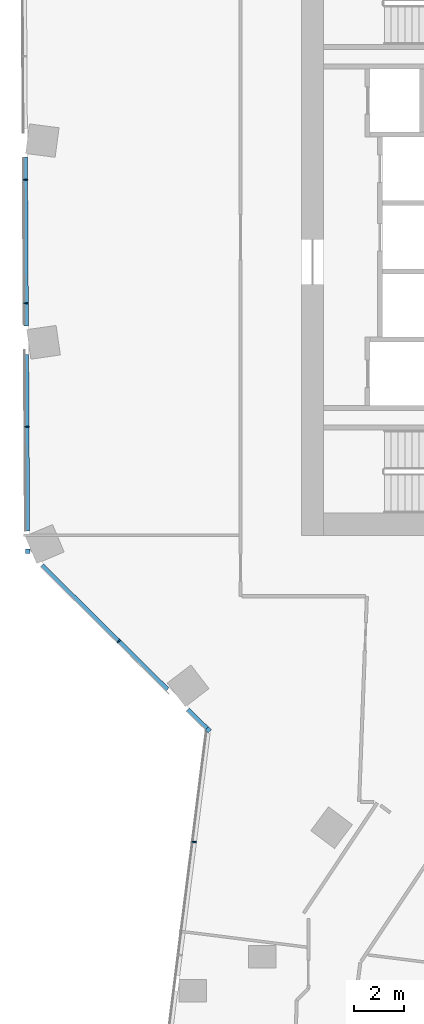
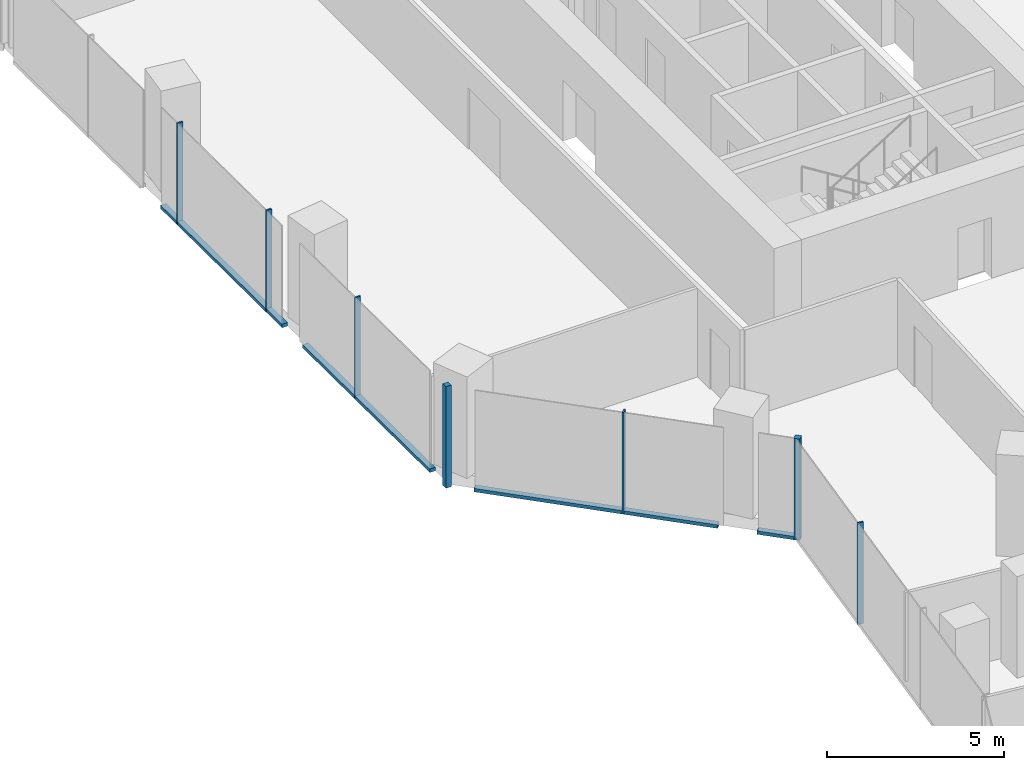
# One storey, part 6 of 27: 11 members, 3 elements without a shape of their own.
"""IFC4 building model written with IfcOpenShell, lengths in metres."""

import ifcopenshell
import ifcopenshell.guid

model = None  # the IFC model being written
_history = None  # IfcOwnerHistory: only IFC2X3 demands one
_inside = {}  # id of a spatial element -> (the spatial element, [elements in it])
_under = {}  # id of a project, library or spatial element -> (it, [spatial elements below it])
_declared = {}  # id of a project -> (the project, [libraries it declares])
_typed = {}  # id of a type object -> (the type object, [elements of that type])
_made_of = {}  # id of a material, layer set ... -> (it, [elements and type objects made of it])


def new_model(schema):
    """Start an empty IFC model of exactly this schema.

    Asked for "IFC4X3", IfcOpenShell would pick the latest addendum, in which some entities
    have other attributes; the version numbers below select the first issue.
    IFC2X3 requires an IfcOwnerHistory on every rooted entity: one is made here for all.
    """
    global model, _history
    if schema == "IFC4X3":
        model = ifcopenshell.file(schema_version=(4, 3, 0, 0))
    else:
        model = ifcopenshell.file(schema=schema)
    _inside.clear()
    _under.clear()
    _declared.clear()
    _typed.clear()
    _made_of.clear()
    _history = None
    if model.schema == "IFC2X3":
        org = make("IfcOrganization", Name="unknown")
        user = make(
            "IfcPersonAndOrganization",
            ThePerson=make("IfcPerson", FamilyName="unknown"),
            TheOrganization=org,
        )
        app = make(
            "IfcApplication",
            ApplicationDeveloper=org,
            Version="unknown",
            ApplicationFullName="unknown",
            ApplicationIdentifier="unknown",
        )
        _history = make(
            "IfcOwnerHistory",
            OwningUser=user,
            OwningApplication=app,
            ChangeAction="ADDED",
            CreationDate=0,
        )
    return model


def make(cls, **values):
    """One entity of the class cls with the attributes given. An attribute that is None is left unset."""
    return model.create_entity(
        cls, **{name: value for name, value in values.items() if value is not None}
    )


def rooted(cls, **values):
    """An entity with a GlobalId (a new one), such as an element, a storey or a relation."""
    return make(cls, GlobalId=ifcopenshell.guid.new(), OwnerHistory=_history, **values)


def si_unit(unit_type, name, prefix=None):
    """IfcSIUnit, for example si_unit("LENGTHUNIT", "METRE", prefix="MILLI")."""
    return make("IfcSIUnit", UnitType=unit_type, Prefix=prefix, Name=name)


def assignment(units):
    """IfcUnitAssignment: the units of a project."""
    return None if units is None else make("IfcUnitAssignment", Units=units)


def point(xyz):
    """IfcCartesianPoint."""
    return None if xyz is None else make("IfcCartesianPoint", Coordinates=xyz)


def direction(xyz):
    """IfcDirection."""
    return None if xyz is None else make("IfcDirection", DirectionRatios=xyz)


def frame(location, z_axis=None, x_axis=None):
    """IfcAxis2Placement3D, a coordinate frame: its origin and axes. An axis left out is left unset."""
    return make(
        "IfcAxis2Placement3D",
        Location=point(location),
        Axis=direction(z_axis),
        RefDirection=direction(x_axis),
    )


def frame_2d(location, x_axis=None):
    """IfcAxis2Placement2D, a coordinate frame in the plane: its origin and x axis."""
    return make(
        "IfcAxis2Placement2D", Location=point(location), RefDirection=direction(x_axis)
    )


def origin():
    """The frame at (0, 0, 0) with its axes left unset."""
    return frame((0.0, 0.0, 0.0))


def origin_2d():
    """The frame at (0, 0) in the plane with its x axis left unset."""
    return frame_2d((0.0, 0.0))


def place(relative_to, where):
    """IfcLocalPlacement: puts the frame where relative to a parent placement (None: the world)."""
    return make(
        "IfcLocalPlacement", PlacementRelTo=relative_to, RelativePlacement=where
    )


def context(
    kind, dimensions, precision=None, world=None, true_north=None, identifier=None
):
    """IfcGeometricRepresentationContext, for example the 3D "Model" context."""
    return make(
        "IfcGeometricRepresentationContext",
        ContextIdentifier=identifier,
        ContextType=kind,
        CoordinateSpaceDimension=dimensions,
        Precision=precision,
        WorldCoordinateSystem=world,
        TrueNorth=true_north,
    )


def subcontext(parent, identifier, kind, view, scale=None):
    """IfcGeometricRepresentationSubContext, for example "Body" below "Model"."""
    return make(
        "IfcGeometricRepresentationSubContext",
        ContextIdentifier=identifier,
        ContextType=kind,
        ParentContext=parent,
        TargetScale=scale,
        TargetView=view,
    )


def project(units=None, contexts=None):
    """IfcProject with its units and contexts."""
    return rooted(
        "IfcProject",
        Name="project",
        RepresentationContexts=contexts,
        UnitsInContext=assignment(units),
    )


def spatial(cls, under=None, at=None, **own):
    """A site, building, storey or space (cls), placed at a placement, below another one or the project."""
    s = rooted(cls, ObjectPlacement=at, **own)
    if under is not None:
        _under.setdefault(under.id(), (under, []))[1].append(s)
    return s


def profile(cls, at=None, kind="AREA", **sizes):
    """A parametric profile (cls). Its sizes go by their IFC names, for example OverallWidth=200.0."""
    return make(cls, ProfileType=kind, Position=at, **sizes)


def rectangle(**sizes):
    """IfcRectangleProfileDef."""
    return profile("IfcRectangleProfileDef", **sizes)


def extrude(swept, where, along, depth):
    """IfcExtrudedAreaSolid: the profile swept, set in the frame where, extruded along a direction by depth."""
    return make(
        "IfcExtrudedAreaSolid",
        SweptArea=swept,
        Position=where,
        ExtrudedDirection=direction(along),
        Depth=depth,
    )


def shape(context_of_items, identifier, shape_type, items):
    """IfcShapeRepresentation: the items that make up one representation, for example the "Body"."""
    return make(
        "IfcShapeRepresentation",
        ContextOfItems=context_of_items,
        RepresentationIdentifier=identifier,
        RepresentationType=shape_type,
        Items=items,
    )


def material(Name=None, Category=None):
    """IfcMaterial."""
    return make("IfcMaterial", Name=Name, Category=Category)


def material_profile(
    of_material, cross_section, Name=None, Category=None, Priority=None
):
    """IfcMaterialProfile: a cross section and its material."""
    return make(
        "IfcMaterialProfile",
        Name=Name,
        Material=of_material,
        Profile=cross_section,
        Priority=Priority,
        Category=Category,
    )


def profile_set(profiles, Name=None, composite=None):
    """IfcMaterialProfileSet."""
    return make(
        "IfcMaterialProfileSet",
        Name=Name,
        MaterialProfiles=profiles,
        CompositeProfile=composite,
    )


def made_of(thing, what):
    """Note that an element or type object is made of a material, layer set ...; save() writes the relation."""
    if what is not None:
        _made_of.setdefault(what.id(), (what, []))[1].append(thing)
    return thing


def type_object(cls, material=None, **own):
    """A type object (cls), such as IfcWallType, which elements share."""
    return made_of(rooted(cls, **own), material)


def element(
    cls,
    number,
    at=None,
    inside=None,
    cuts=None,
    type_object=None,
    material=None,
    context=None,
    identifier="Body",
    shape_type=None,
    held_by="IfcProductDefinitionShape",
    body=None,
    shapes=None,
    **own,
):
    """One element of the class cls, such as IfcWall. Its Tag is "e" and its number.

    at: its placement. inside: the storey or other place that contains it. cuts: it is an
    opening in that element (IfcRelVoidsElement). A single representation is given by context,
    identifier, shape_type and body (its items); several are given by shapes. held_by: the class
    of the entity that holds the representations. save() writes the other relations.
    """
    e = rooted(cls, Tag="e%d" % number, ObjectPlacement=at, **own)
    if body is not None:
        shapes = [shape(context, identifier, shape_type, body)]
    if shapes is not None:
        e.Representation = make(held_by, Representations=shapes)
    if inside is not None:
        _inside.setdefault(inside.id(), (inside, []))[1].append(e)
    if cuts is not None:
        rooted(
            "IfcRelVoidsElement", RelatingBuildingElement=cuts, RelatedOpeningElement=e
        )
    if type_object is not None:
        _typed.setdefault(type_object.id(), (type_object, []))[1].append(e)
    return made_of(e, material)


def aggregate(whole, parts):
    """IfcRelAggregates: a whole, such as a stair, and the parts it consists of."""
    return rooted("IfcRelAggregates", RelatingObject=whole, RelatedObjects=parts)


def save(model, path):
    """Write the relations noted so far, then the file.

    IfcRelAggregates (storeys below a building ...), IfcRelContainedInSpatialStructure (elements
    in a storey), IfcRelDefinesByType, IfcRelAssociatesMaterial and IfcRelDeclares: one each for
    every whole, place, type object, material and project.
    """
    for whole, parts in _under.values():
        aggregate(whole, parts)
    for where, things in _inside.values():
        rooted(
            "IfcRelContainedInSpatialStructure",
            RelatedElements=things,
            RelatingStructure=where,
        )
    for kind, things in _typed.values():
        rooted("IfcRelDefinesByType", RelatedObjects=things, RelatingType=kind)
    for what, things in _made_of.values():
        rooted("IfcRelAssociatesMaterial", RelatedObjects=things, RelatingMaterial=what)
    for by, libraries in _declared.values():
        rooted("IfcRelDeclares", RelatingContext=by, RelatedDefinitions=libraries)
    model.write(path)


model = new_model("IFC4")

# Units and contexts
model_context = context("Model", 3, precision=1e-05, world=origin(), true_north=direction((0.0, 1.0)))
body_context = subcontext(model_context, "Body", "Model", "MODEL_VIEW")
ifc_project = project(units=[si_unit("LENGTHUNIT", "METRE"), si_unit("AREAUNIT", "SQUARE_METRE"), si_unit("VOLUMEUNIT", "CUBIC_METRE"), si_unit("PLANEANGLEUNIT", "RADIAN"), si_unit("MASSUNIT", "GRAM", prefix="KILO")], contexts=[model_context])

# Site, building, storey
site_placement = place(None, origin())
site = spatial("IfcSite", under=ifc_project, at=site_placement, CompositionType="ELEMENT")
building_placement = place(site_placement, origin())
building = spatial("IfcBuilding", under=site, at=building_placement, Name="Orlundy Tower", CompositionType="ELEMENT")
storey_placement = place(building_placement, frame((0.0, 0.0, 192.10009765625)))
storey = spatial("IfcBuildingStorey", under=building, at=storey_placement, Name="L50", CompositionType="ELEMENT", Elevation=192.10009765625)

# Curtain wall, member
ifc_material_1 = material(Name="Aluminium bronze anodised", Category="aluminium")
curtain_wall_type = type_object("IfcCurtainWallType", Name="CW1 wall", PredefinedType="NOTDEFINED", material=ifc_material_1)
curtain_wall_1_placement = place(storey_placement, origin())
curtain_wall_1 = element("IfcCurtainWall", 1, at=curtain_wall_1_placement, inside=storey, type_object=curtain_wall_type, Name="CW1 run 01", PredefinedType="NOTDEFINED")
ifc_material_2 = material(Name="Aluminium bronze anodised", Category="aluminium")
ifc_material_profile_1 = material_profile(ifc_material_2, rectangle(XDim=0.179931640625, YDim=0.179931640625, at=origin_2d()), Name="CW1 corner post 180x180")
ifc_profile_set_1 = profile_set([ifc_material_profile_1], Name="Aluminium bronze anodised")
member_type_1 = type_object("IfcMemberType", Name="CW1 corner post 180x180", PredefinedType="MULLION", material=ifc_profile_set_1)
member_1_placement = place(storey_placement, frame((-22.741943359375, -19.829833984375, -0.420166015625), z_axis=(0.0, 0.0, 1.0), x_axis=(-0.702991811789, -0.711197941896, 0.0)))
member_1 = element("IfcMember", 2, at=member_1_placement, type_object=member_type_1, Name="CW1 mullion 7", PredefinedType="MULLION", context=body_context, shape_type="SweptSolid", body=[
    extrude(rectangle(XDim=0.179931640625, YDim=0.179931640625, at=origin_2d()), origin(), (0.0, 0.0, 1.0), 3.5),
])

curtain_wall_2_placement = place(storey_placement, origin())
curtain_wall_2 = element("IfcCurtainWall", 3, at=curtain_wall_2_placement, inside=storey, type_object=curtain_wall_type, Name="CW1 run 02", PredefinedType="NOTDEFINED")
member_2_placement = place(storey_placement, frame((-30.016845703125, -12.638916015625, -0.420166015625), z_axis=(0.0, 0.0, 1.0), x_axis=(-0.999982980873, -0.005834206419, 0.0)))
member_2 = element("IfcMember", 4, at=member_2_placement, type_object=member_type_1, Name="CW1 mullion 9", PredefinedType="MULLION", context=body_context, shape_type="SweptSolid", body=[
    extrude(rectangle(XDim=0.179931640625, YDim=0.179931640625, at=origin_2d()), origin(), (0.0, 0.0, 1.0), 3.5),
])

curtain_wall_3_placement = place(storey_placement, origin())
curtain_wall_3 = element("IfcCurtainWall", 5, at=curtain_wall_3_placement, inside=storey, type_object=curtain_wall_type, Name="CW1 run 00", PredefinedType="NOTDEFINED")
ifc_material_3 = material(Name="Aluminium bronze anodised", Category="aluminium")
ifc_material_profile_2 = material_profile(ifc_material_3, rectangle(XDim=0.179931640625, YDim=0.050048828125, at=origin_2d()), Name="CW1 mullion 50x180")
ifc_profile_set_2 = profile_set([ifc_material_profile_2], Name="Aluminium bronze anodised")
member_type_2 = type_object("IfcMemberType", Name="CW1 mullion 50x180", PredefinedType="MULLION", material=ifc_profile_set_2)
member_3_placement = place(storey_placement, frame((-23.308837890625, -24.338623046875, -0.420166015625), z_axis=(0.0, 0.0, 1.0), x_axis=(-0.992186526754, 0.124763360518, 0.0)))
member_3 = element("IfcMember", 6, at=member_3_placement, type_object=member_type_2, Name="CW1 mullion 6", PredefinedType="MULLION", context=body_context, shape_type="SweptSolid", body=[
    extrude(rectangle(XDim=0.179931640625, YDim=0.050048828125, at=origin_2d()), origin(), (0.0, 0.0, 1.0), 3.5),
])
aggregate(curtain_wall_3, [member_3])

# Member
member_4_placement = place(storey_placement, frame((-26.350341796875, -16.262939453125, -0.420166015625), z_axis=(0.0, 0.0, 1.0), x_axis=(-0.702991811789, -0.711197941896, 0.0)))
member_4 = element("IfcMember", 7, at=member_4_placement, type_object=member_type_2, Name="CW1 mullion 8", PredefinedType="MULLION", context=body_context, shape_type="SweptSolid", body=[
    extrude(rectangle(XDim=0.179931640625, YDim=0.050048828125, at=origin_2d()), origin(), (0.0, 0.0, 1.0), 3.5),
])

member_5_placement = place(storey_placement, frame((-30.0458984375, -7.630859375, -0.420166015625), z_axis=(0.0, 0.0, 1.0), x_axis=(-0.999982980873, -0.005834206419, 0.0)))
member_5 = element("IfcMember", 8, at=member_5_placement, type_object=member_type_2, Name="CW1 mullion 10", PredefinedType="MULLION", context=body_context, shape_type="SweptSolid", body=[
    extrude(rectangle(XDim=0.179931640625, YDim=0.050048828125, at=origin_2d()), origin(), (0.0, 0.0, 1.0), 3.5),
])

member_6_placement = place(storey_placement, frame((-30.074951171875, -2.660400390625, -0.420166015625), z_axis=(0.0, 0.0, 1.0), x_axis=(-0.999982980873, -0.005834206419, 0.0)))
member_6 = element("IfcMember", 9, at=member_6_placement, type_object=member_type_2, Name="CW1 mullion 11", PredefinedType="MULLION", context=body_context, shape_type="SweptSolid", body=[
    extrude(rectangle(XDim=0.179931640625, YDim=0.050048828125, at=origin_2d()), origin(), (0.0, 0.0, 1.0), 3.5),
])

member_7_placement = place(storey_placement, frame((-30.10400390625, 2.310302734375, -0.420166015625), z_axis=(0.0, 0.0, 1.0), x_axis=(-0.999982980873, -0.005834206419, 0.0)))
member_7 = element("IfcMember", 10, at=member_7_placement, type_object=member_type_2, Name="CW1 mullion 12", PredefinedType="MULLION", context=body_context, shape_type="SweptSolid", body=[
    extrude(rectangle(XDim=0.179931640625, YDim=0.050048828125, at=origin_2d()), origin(), (0.0, 0.0, 1.0), 3.5),
])

ifc_material_4 = material(Name="Aluminium bronze anodised", Category="aluminium")
ifc_material_profile_3 = material_profile(ifc_material_4, rectangle(XDim=0.179931640625, YDim=0.1201171875, at=origin_2d()), Name="CW1 transom 180x120")
ifc_profile_set_3 = profile_set([ifc_material_profile_3], Name="Aluminium bronze anodised")
member_type_3 = type_object("IfcMemberType", Name="CW1 transom 180x120", PredefinedType="USERDEFINED", material=ifc_profile_set_3)
member_8_placement = place(storey_placement, frame((-22.805908203125, -19.7666015625, -0.360107421875), z_axis=(-0.711188757581, 0.703001103193, 0.0), x_axis=(-0.703001103193, -0.711188757581, 0.0)))
member_8 = element("IfcMember", 11, at=member_8_placement, type_object=member_type_3, Name="CW1 transom", ObjectType="TRANSOM", PredefinedType="USERDEFINED", context=body_context, shape_type="SweptSolid", body=[
    extrude(rectangle(XDim=0.179931640625, YDim=0.1201171875, at=origin_2d()), origin(), (0.0, 0.0, 1.0), 1.073486328125),
])

member_9_placement = place(storey_placement, frame((-24.38623046875, -18.204345703125, -0.360107421875), z_axis=(-0.711200782935, 0.702988937575, 0.0), x_axis=(-0.702988937575, -0.711200782935, 0.0)))
member_9 = element("IfcMember", 12, at=member_9_placement, type_object=member_type_3, Name="CW1 transom", ObjectType="TRANSOM", PredefinedType="USERDEFINED", context=body_context, shape_type="SweptSolid", body=[
    extrude(rectangle(XDim=0.179931640625, YDim=0.1201171875, at=origin_2d()), origin(), (0.0, 0.0, 1.0), 7.10546875),
])

aggregate(curtain_wall_1, [member_1, member_4, member_8, member_9])

member_10_placement = place(storey_placement, frame((-30.021484375, -11.826904296875, -0.360107421875), z_axis=(-0.005841021852, 0.999982941086, 0.0), x_axis=(-0.999982941086, -0.005841021852, 0.0)))
member_10 = element("IfcMember", 13, at=member_10_placement, type_object=member_type_3, Name="CW1 transom", ObjectType="TRANSOM", PredefinedType="USERDEFINED", context=body_context, shape_type="SweptSolid", body=[
    extrude(rectangle(XDim=0.179931640625, YDim=0.1201171875, at=origin_2d()), origin(), (0.0, 0.0, 1.0), 7.10546875),
])

member_11_placement = place(storey_placement, frame((-30.069580078125, -3.572265625, -0.360107421875), z_axis=(-0.005856888404, 0.999982848282, 0.0), x_axis=(-0.999982848282, -0.005856888404, 0.0)))
member_11 = element("IfcMember", 14, at=member_11_placement, type_object=member_type_3, Name="CW1 transom", ObjectType="TRANSOM", PredefinedType="USERDEFINED", context=body_context, shape_type="SweptSolid", body=[
    extrude(rectangle(XDim=0.179931640625, YDim=0.1201171875, at=origin_2d()), origin(), (0.0, 0.0, 1.0), 6.79443359375),
])

aggregate(curtain_wall_2, [member_2, member_5, member_6, member_7, member_10, member_11])

save(model, "model.ifc")
